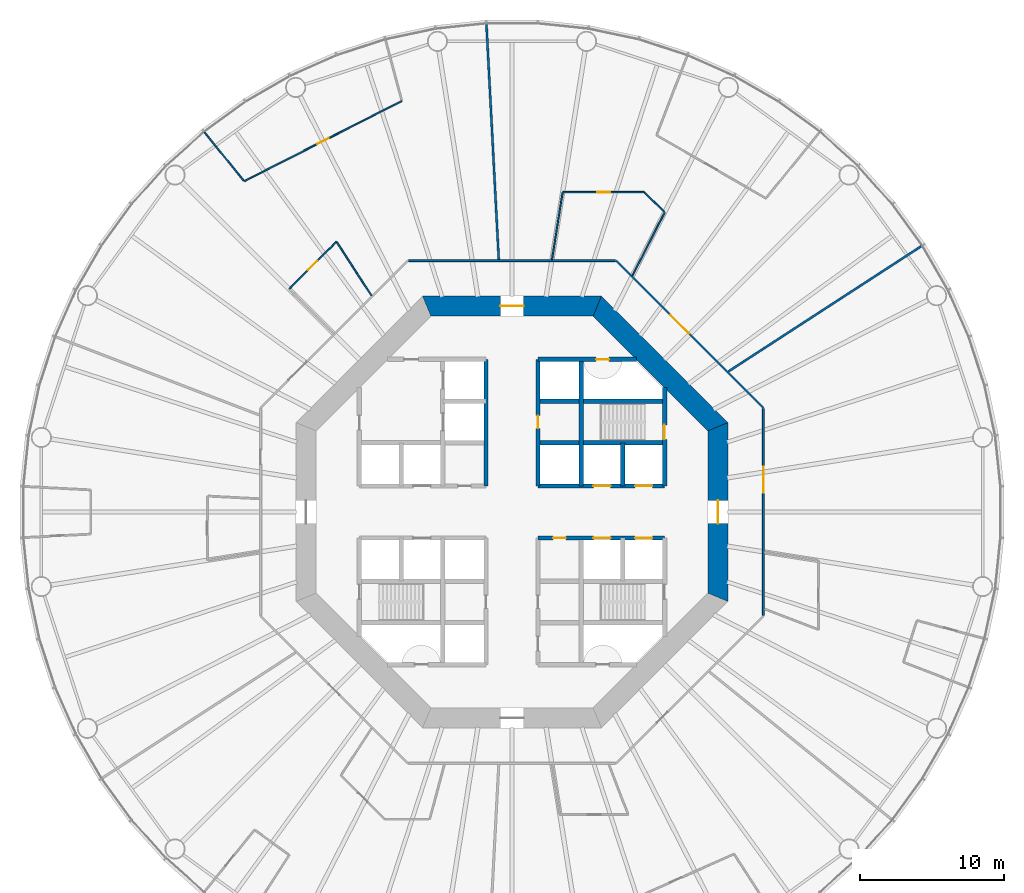
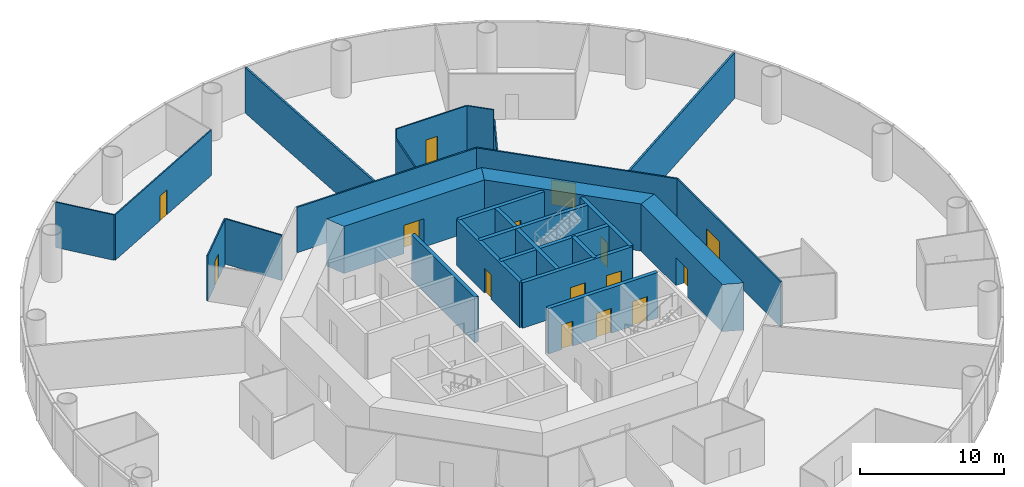
# One storey, part 5 of 13: 26 walls, 15 doors, 15 openings.
"""IFC4 building model written with IfcOpenShell, lengths in metres."""

from ifc_helpers import new_model, si_unit, direction, frame, frame_2d, origin, place, context, subcontext, project, spatial, polyline, rectangle, outline, extrude, material, layer, layer_set, type_object, element, fill, save


model = new_model("IFC4")

# Units and contexts
model_context = context("Model", 3, precision=1e-05, world=origin(), true_north=direction((0.0, 1.0)))
body_context = subcontext(model_context, "Body", "Model", "MODEL_VIEW")
ifc_project = project(units=[si_unit("LENGTHUNIT", "METRE"), si_unit("AREAUNIT", "SQUARE_METRE"), si_unit("VOLUMEUNIT", "CUBIC_METRE"), si_unit("PLANEANGLEUNIT", "RADIAN"), si_unit("MASSUNIT", "GRAM", prefix="KILO")], contexts=[model_context])

# Site, building, storey
site_placement = place(None, origin())
site = spatial("IfcSite", under=ifc_project, at=site_placement, CompositionType="ELEMENT")
building_placement = place(site_placement, origin())
building = spatial("IfcBuilding", under=site, at=building_placement, Name="Entoto Ring Tower", CompositionType="ELEMENT")
storey_placement = place(building_placement, frame((0.0, 0.0, 30.0)))
storey = spatial("IfcBuildingStorey", under=building, at=storey_placement, Name="L05", CompositionType="ELEMENT", Elevation=30.0)

# Wall, opening, door
ifc_material_1 = material(Name="Concrete C40/50", Category="concrete")
ifc_layer_1 = layer(ifc_material_1, 0.300048828125)
ifc_layer_set_1 = layer_set([ifc_layer_1], Name="Concrete C40/50")
wall_type_1 = type_object("IfcWallType", Name="Core enclosure wall 300 mm reinforced concrete", PredefinedType="SOLIDWALL", material=ifc_layer_set_1)
wall_1_placement = place(storey_placement, frame((100.60009765625, 81.800048828125, 0.0), z_axis=(0.0, 0.0, 1.0), x_axis=(0.0, 1.0, 0.0)))
wall_1 = element("IfcWall", 1, at=wall_1_placement, inside=storey, type_object=wall_type_1, Name="wall-L05-002", PredefinedType="SOLIDWALL", context=body_context, shape_type="SweptSolid", body=[
    extrude(rectangle(XDim=6.833251953125, YDim=0.300048828125, at=frame_2d((3.41650390625, 0.0))), origin(), (0.0, 0.0, 1.0), 3.85009765625),
])
opening_1_placement = place(wall_1_placement, frame((3.25, 0.0, 0.0)))
opening_1 = element("IfcOpeningElement", 2, at=opening_1_placement, cuts=wall_1, Name="Opening K-17", PredefinedType="OPENING", context=body_context, shape_type="SweptSolid", body=[
    extrude(rectangle(XDim=1.0, YDim=2.10009765625, at=frame_2d((0.5, 1.050048828125))), frame((0.0, 0.16015625, 0.0), z_axis=(0.0, -1.0, 0.0), x_axis=(1.0, 0.0, 0.0)), (0.0, 0.0, 1.0), 0.320068359375),
])
ifc_material_2 = material(Name="Steel door leaf, fire rated", Category="steel")
ifc_layer_2 = layer(ifc_material_2, 0.050048828125)
ifc_layer_set_2 = layer_set([ifc_layer_2], Name="Steel door leaf, fire rated")
door_type_1 = type_object("IfcDoorType", Name="Fire door FD60 1000 x 2100 single leaf", OperationType="NOTDEFINED", PredefinedType="DOOR", material=ifc_layer_set_2)
door_1_placement = place(opening_1_placement, origin())
door_1 = element("IfcDoor", 3, at=door_1_placement, inside=storey, type_object=door_type_1, Name="Door K-17", OperationType="SINGLE_SWING_RIGHT", OverallHeight=2.10009765625, OverallWidth=1.0, PredefinedType="DOOR", context=body_context, shape_type="SweptSolid", body=[
    extrude(rectangle(XDim=1.0, YDim=2.10009765625, at=frame_2d((0.5, 1.050048828125))), frame((0.0, 0.02490234375, 0.0), z_axis=(0.0, -1.0, 0.0), x_axis=(1.0, 0.0, 0.0)), (0.0, 0.0, 1.0), 0.050048828125),
])
fill(opening_1, door_1)

# Walls
wall_2_placement = place(storey_placement, frame((97.699951171875, 81.800048828125, 0.0), z_axis=(0.0, 0.0, 1.0), x_axis=(0.0, 1.0, 0.0)))
element("IfcWall", 4, at=wall_2_placement, inside=storey, type_object=wall_type_1, Name="wall-L05-004", PredefinedType="SOLIDWALL", context=body_context, shape_type="SweptSolid", body=[
    extrude(rectangle(XDim=3.0, YDim=0.300048828125, at=frame_2d((1.5, 0.0))), origin(), (0.0, 0.0, 1.0), 3.85009765625),
])
wall_3_placement = place(storey_placement, frame((94.800048828125, 81.800048828125, 0.0), z_axis=(0.0, 0.0, 1.0), x_axis=(0.0, 1.0, 0.0)))
element("IfcWall", 5, at=wall_3_placement, inside=storey, type_object=wall_type_1, Name="wall-L05-006", PredefinedType="SOLIDWALL", context=body_context, shape_type="SweptSolid", body=[
    extrude(rectangle(XDim=8.800048828125, YDim=0.300048828125, at=frame_2d((4.39990234375, 0.0))), origin(), (0.0, 0.0, 1.0), 3.85009765625),
])

# Wall, opening, door
wall_4_placement = place(storey_placement, frame((91.800048828125, 81.800048828125, 0.0), z_axis=(0.0, 0.0, 1.0), x_axis=(0.0, 1.0, 0.0)))
wall_4 = element("IfcWall", 6, at=wall_4_placement, inside=storey, type_object=wall_type_1, Name="wall-L05-008", PredefinedType="SOLIDWALL", context=body_context, shape_type="SweptSolid", body=[
    extrude(rectangle(XDim=8.800048828125, YDim=0.300048828125, at=frame_2d((4.39990234375, 0.0))), origin(), (0.0, 0.0, 1.0), 3.85009765625),
])
opening_2_placement = place(wall_4_placement, frame((4.0, 0.0, 0.0)))
opening_2 = element("IfcOpeningElement", 7, at=opening_2_placement, cuts=wall_4, Name="Opening K-11", PredefinedType="OPENING", context=body_context, shape_type="SweptSolid", body=[
    extrude(rectangle(XDim=0.89990234375, YDim=2.10009765625, at=frame_2d((0.449951171875, 1.050048828125))), frame((0.0, 0.16015625, 0.0), z_axis=(0.0, -1.0, 0.0), x_axis=(1.0, 0.0, 0.0)), (0.0, 0.0, 1.0), 0.320068359375),
])
ifc_material_3 = material(Name="Steel door leaf, fire rated", Category="steel")
ifc_layer_3 = layer(ifc_material_3, 0.050048828125)
ifc_layer_set_3 = layer_set([ifc_layer_3], Name="Steel door leaf, fire rated")
door_type_2 = type_object("IfcDoorType", Name="Core door 900 x 2100 single leaf", OperationType="NOTDEFINED", PredefinedType="DOOR", material=ifc_layer_set_3)
door_2_placement = place(opening_2_placement, origin())
door_2 = element("IfcDoor", 8, at=door_2_placement, inside=storey, type_object=door_type_2, Name="Door K-11", OperationType="SINGLE_SWING_RIGHT", OverallHeight=2.10009765625, OverallWidth=0.89990234375, PredefinedType="DOOR", context=body_context, shape_type="SweptSolid", body=[
    extrude(rectangle(XDim=0.89990234375, YDim=2.10009765625, at=frame_2d((0.449951171875, 1.050048828125))), frame((0.0, 0.02490234375, 0.0), z_axis=(0.0, -1.0, 0.0), x_axis=(1.0, 0.0, 0.0)), (0.0, 0.0, 1.0), 0.050048828125),
])
fill(opening_2, door_2)

# Wall
wall_5_placement = place(storey_placement, frame((88.199951171875, 81.800048828125, 0.0), z_axis=(0.0, 0.0, 1.0), x_axis=(0.0, 1.0, 0.0)))
element("IfcWall", 9, at=wall_5_placement, inside=storey, type_object=wall_type_1, Name="wall-L05-010", PredefinedType="SOLIDWALL", context=body_context, shape_type="SweptSolid", body=[
    extrude(rectangle(XDim=8.800048828125, YDim=0.300048828125, at=frame_2d((4.39990234375, 0.0))), origin(), (0.0, 0.0, 1.0), 3.85009765625),
])

# Wall, openings, doors
wall_6_placement = place(storey_placement, frame((91.800048828125, 78.199951171875, 0.0), z_axis=(0.0, 0.0, 1.0), x_axis=(1.0, 0.0, 0.0)))
wall_6 = element("IfcWall", 10, at=wall_6_placement, inside=storey, type_object=wall_type_1, Name="wall-L05-024", PredefinedType="SOLIDWALL", context=body_context, shape_type="SweptSolid", body=[
    extrude(rectangle(XDim=8.800048828125, YDim=0.300048828125, at=frame_2d((4.39990234375, 0.0))), origin(), (0.0, 0.0, 1.0), 3.85009765625),
])
opening_3_placement = place(wall_6_placement, frame((3.85009765625, 0.0, 0.0)))
opening_3 = element("IfcOpeningElement", 11, at=opening_3_placement, cuts=wall_6, Name="Opening LD", PredefinedType="OPENING", context=body_context, shape_type="SweptSolid", body=[
    extrude(rectangle(XDim=1.199951171875, YDim=2.10009765625, at=frame_2d((0.60009765625, 1.050048828125))), frame((0.0, 0.16015625, 0.0), z_axis=(0.0, -1.0, 0.0), x_axis=(1.0, 0.0, 0.0)), (0.0, 0.0, 1.0), 0.320068359375),
])
opening_4_placement = place(wall_6_placement, frame((6.75, 0.0, 0.0)))
opening_4 = element("IfcOpeningElement", 12, at=opening_4_placement, cuts=wall_6, Name="Opening LD", PredefinedType="OPENING", context=body_context, shape_type="SweptSolid", body=[
    extrude(rectangle(XDim=1.199951171875, YDim=2.10009765625, at=frame_2d((0.60009765625, 1.050048828125))), frame((0.0, 0.16015625, 0.0), z_axis=(0.0, -1.0, 0.0), x_axis=(1.0, 0.0, 0.0)), (0.0, 0.0, 1.0), 0.320068359375),
])
opening_5_placement = place(wall_6_placement, frame((1.050048828125, 0.0, 0.0)))
opening_5 = element("IfcOpeningElement", 13, at=opening_5_placement, cuts=wall_6, Name="Opening K-16", PredefinedType="OPENING", context=body_context, shape_type="SweptSolid", body=[
    extrude(rectangle(XDim=0.89990234375, YDim=2.10009765625, at=frame_2d((0.449951171875, 1.050048828125))), frame((0.0, 0.16015625, 0.0), z_axis=(0.0, -1.0, 0.0), x_axis=(1.0, 0.0, 0.0)), (0.0, 0.0, 1.0), 0.320068359375),
])
door_3_placement = place(opening_5_placement, frame((0.89990234375, 0.0, 0.0), z_axis=(0.0, 0.0, 1.0), x_axis=(-1.0, 0.0, 0.0)))
door_3 = element("IfcDoor", 14, at=door_3_placement, inside=storey, type_object=door_type_2, Name="Door K-16", OperationType="SINGLE_SWING_RIGHT", OverallHeight=2.10009765625, OverallWidth=0.89990234375, PredefinedType="DOOR", context=body_context, shape_type="SweptSolid", body=[
    extrude(rectangle(XDim=0.89990234375, YDim=2.10009765625, at=frame_2d((0.449951171875, 1.050048828125))), frame((0.0, 0.02490234375, 0.0), z_axis=(0.0, -1.0, 0.0), x_axis=(1.0, 0.0, 0.0)), (0.0, 0.0, 1.0), 0.050048828125),
])
fill(opening_5, door_3)
ifc_material_4 = material(Name="Steel and glass door leaf", Category="steel")
ifc_layer_4 = layer(ifc_material_4, 0.050048828125)
ifc_layer_set_4 = layer_set([ifc_layer_4], Name="Steel and glass door leaf")
door_type_3 = type_object("IfcDoorType", Name="Landing door 1200 x 2100 sliding", OperationType="DOUBLE_DOOR_SLIDING", PredefinedType="DOOR", material=ifc_layer_set_4)
door_4_placement = place(opening_3_placement, origin())
door_4 = element("IfcDoor", 15, at=door_4_placement, inside=storey, type_object=door_type_3, Name="Landing door LB4-LR", OperationType="SLIDING_TO_RIGHT", OverallHeight=2.10009765625, OverallWidth=1.199951171875, PredefinedType="DOOR", context=body_context, shape_type="SweptSolid", body=[
    extrude(rectangle(XDim=1.199951171875, YDim=2.10009765625, at=frame_2d((0.60009765625, 1.050048828125))), frame((0.0, 0.02490234375, 0.0), z_axis=(0.0, -1.0, 0.0), x_axis=(1.0, 0.0, 0.0)), (0.0, 0.0, 1.0), 0.050048828125),
])
fill(opening_3, door_4)
door_5_placement = place(opening_4_placement, origin())
door_5 = element("IfcDoor", 16, at=door_5_placement, inside=storey, type_object=door_type_3, Name="Landing door LB5-LR", OperationType="SLIDING_TO_RIGHT", OverallHeight=2.10009765625, OverallWidth=1.199951171875, PredefinedType="DOOR", context=body_context, shape_type="SweptSolid", body=[
    extrude(rectangle(XDim=1.199951171875, YDim=2.10009765625, at=frame_2d((0.60009765625, 1.050048828125))), frame((0.0, 0.02490234375, 0.0), z_axis=(0.0, -1.0, 0.0), x_axis=(1.0, 0.0, 0.0)), (0.0, 0.0, 1.0), 0.050048828125),
])
fill(opening_4, door_5)

wall_7_placement = place(storey_placement, frame((91.800048828125, 81.800048828125, 0.0), z_axis=(0.0, 0.0, 1.0), x_axis=(1.0, 0.0, 0.0)))
wall_7 = element("IfcWall", 17, at=wall_7_placement, inside=storey, type_object=wall_type_1, Name="wall-L05-026", PredefinedType="SOLIDWALL", context=body_context, shape_type="SweptSolid", body=[
    extrude(rectangle(XDim=8.800048828125, YDim=0.300048828125, at=frame_2d((4.39990234375, 0.0))), origin(), (0.0, 0.0, 1.0), 3.85009765625),
])
opening_6_placement = place(wall_7_placement, frame((3.85009765625, 0.0, 0.0)))
opening_6 = element("IfcOpeningElement", 18, at=opening_6_placement, cuts=wall_7, Name="Opening LD", PredefinedType="OPENING", context=body_context, shape_type="SweptSolid", body=[
    extrude(rectangle(XDim=1.199951171875, YDim=2.10009765625, at=frame_2d((0.60009765625, 1.050048828125))), frame((0.0, 0.16015625, 0.0), z_axis=(0.0, -1.0, 0.0), x_axis=(1.0, 0.0, 0.0)), (0.0, 0.0, 1.0), 0.320068359375),
])
opening_7_placement = place(wall_7_placement, frame((6.75, 0.0, 0.0)))
opening_7 = element("IfcOpeningElement", 19, at=opening_7_placement, cuts=wall_7, Name="Opening LD", PredefinedType="OPENING", context=body_context, shape_type="SweptSolid", body=[
    extrude(rectangle(XDim=1.199951171875, YDim=2.10009765625, at=frame_2d((0.60009765625, 1.050048828125))), frame((0.0, 0.16015625, 0.0), z_axis=(0.0, -1.0, 0.0), x_axis=(1.0, 0.0, 0.0)), (0.0, 0.0, 1.0), 0.320068359375),
])
door_6_placement = place(opening_6_placement, origin())
door_6 = element("IfcDoor", 20, at=door_6_placement, inside=storey, type_object=door_type_3, Name="Landing door LB1-LR", OperationType="SLIDING_TO_RIGHT", OverallHeight=2.10009765625, OverallWidth=1.199951171875, PredefinedType="DOOR", context=body_context, shape_type="SweptSolid", body=[
    extrude(rectangle(XDim=1.199951171875, YDim=2.10009765625, at=frame_2d((0.60009765625, 1.050048828125))), frame((0.0, 0.02490234375, 0.0), z_axis=(0.0, -1.0, 0.0), x_axis=(1.0, 0.0, 0.0)), (0.0, 0.0, 1.0), 0.050048828125),
])
fill(opening_6, door_6)
door_7_placement = place(opening_7_placement, origin())
door_7 = element("IfcDoor", 21, at=door_7_placement, inside=storey, type_object=door_type_3, Name="Landing door LB2-LR", OperationType="SLIDING_TO_RIGHT", OverallHeight=2.10009765625, OverallWidth=1.199951171875, PredefinedType="DOOR", context=body_context, shape_type="SweptSolid", body=[
    extrude(rectangle(XDim=1.199951171875, YDim=2.10009765625, at=frame_2d((0.60009765625, 1.050048828125))), frame((0.0, 0.02490234375, 0.0), z_axis=(0.0, -1.0, 0.0), x_axis=(1.0, 0.0, 0.0)), (0.0, 0.0, 1.0), 0.050048828125),
])
fill(opening_7, door_7)

# Walls
for number, where, z_axis, x_axis, name in (
    (22, (91.800048828125, 84.800048828125, 0.0), (0.0, 0.0, 1.0), (1.0, 0.0, 0.0), "wall-L05-028"),
    (23, (91.800048828125, 87.699951171875, 0.0), (0.0, 0.0, 1.0), (1.0, 0.0, 0.0), "wall-L05-030"),
):
    element("IfcWall", number, at=place(storey_placement, frame(where, z_axis=z_axis, x_axis=x_axis)), inside=storey, type_object=wall_type_1, Name=name, PredefinedType="SOLIDWALL", context=body_context, shape_type="SweptSolid", body=[
        extrude(rectangle(XDim=8.800048828125, YDim=0.300048828125, at=frame_2d((4.39990234375, 0.0))), origin(), (0.0, 0.0, 1.0), 3.85009765625),
    ])

# Wall, opening, door
wall_8_placement = place(storey_placement, frame((91.800048828125, 90.60009765625, 0.0), z_axis=(0.0, 0.0, 1.0), x_axis=(1.0, 0.0, 0.0)))
wall_8 = element("IfcWall", 24, at=wall_8_placement, inside=storey, type_object=wall_type_1, Name="wall-L05-032", PredefinedType="SOLIDWALL", context=body_context, shape_type="SweptSolid", body=[
    extrude(rectangle(XDim=6.833251953125, YDim=0.300048828125, at=frame_2d((3.41650390625, 0.0))), origin(), (0.0, 0.0, 1.0), 3.85009765625),
])
opening_8_placement = place(wall_8_placement, frame((4.050048828125, 0.0, 0.0)))
opening_8 = element("IfcOpeningElement", 25, at=opening_8_placement, cuts=wall_8, Name="Opening K-20", PredefinedType="OPENING", context=body_context, shape_type="SweptSolid", body=[
    extrude(rectangle(XDim=0.89990234375, YDim=2.10009765625, at=frame_2d((0.449951171875, 1.050048828125))), frame((0.0, 0.16015625, 0.0), z_axis=(0.0, -1.0, 0.0), x_axis=(1.0, 0.0, 0.0)), (0.0, 0.0, 1.0), 0.320068359375),
])
ifc_material_5 = material(Name="Steel door leaf, fire rated", Category="steel")
ifc_layer_5 = layer(ifc_material_5, 0.050048828125)
ifc_layer_set_5 = layer_set([ifc_layer_5], Name="Steel door leaf, fire rated")
door_type_4 = type_object("IfcDoorType", Name="Riser door FD60 900 x 2100 single leaf", OperationType="NOTDEFINED", PredefinedType="DOOR", material=ifc_layer_set_5)
door_8_placement = place(opening_8_placement, frame((0.89990234375, 0.0, 0.0), z_axis=(0.0, 0.0, 1.0), x_axis=(-1.0, 0.0, 0.0)))
door_8 = element("IfcDoor", 26, at=door_8_placement, inside=storey, type_object=door_type_4, Name="Door K-20", OperationType="SINGLE_SWING_LEFT", OverallHeight=2.10009765625, OverallWidth=0.89990234375, PredefinedType="DOOR", context=body_context, shape_type="SweptSolid", body=[
    extrude(rectangle(XDim=0.89990234375, YDim=2.10009765625, at=frame_2d((0.449951171875, 1.050048828125))), frame((0.0, 0.02490234375, 0.0), z_axis=(0.0, -1.0, 0.0), x_axis=(1.0, 0.0, 0.0)), (0.0, 0.0, 1.0), 0.050048828125),
])
fill(opening_8, door_8)

ifc_material_6 = material(Name="Concrete C60/75", Category="concrete")
ifc_layer_6 = layer(ifc_material_6, 1.39990234375)
ifc_layer_set_6 = layer_set([ifc_layer_6], Name="Concrete C60/75")
wall_type_2 = type_object("IfcWallType", Name="Core shear wall 1400 mm reinforced concrete C60/75", PredefinedType="SHEAR", material=ifc_layer_set_6)
wall_9_placement = place(storey_placement, frame((104.300048828125, 74.07666015625, 0.0), z_axis=(0.0, 0.0, 1.0), x_axis=(0.0, 1.0, 0.0)))
wall_9 = element("IfcWall", 27, at=wall_9_placement, inside=storey, type_object=wall_type_2, Name="wall-L05-core-0", PredefinedType="SHEAR", context=body_context, shape_type="SweptSolid", body=[
    extrude(outline(polyline([(-0.2900390625, -0.699951171875), (12.13671875, -0.699951171875), (11.556640625, 0.699951171875), (0.2900390625, 0.699951171875), (-0.2900390625, -0.699951171875)])), origin(), (0.0, 0.0, 1.0), 4.0),
])
opening_9_placement = place(wall_9_placement, frame((5.123291015625, 0.0, 0.0)))
opening_9 = element("IfcOpeningElement", 28, at=opening_9_placement, cuts=wall_9, Name="Opening K-01", PredefinedType="OPENING", context=body_context, shape_type="SweptSolid", body=[
    extrude(rectangle(XDim=1.60009765625, YDim=2.39990234375, at=frame_2d((0.800048828125, 1.199951171875))), frame((0.0, 0.7099609375, 0.0), z_axis=(0.0, -1.0, 0.0), x_axis=(1.0, 0.0, 0.0)), (0.0, 0.0, 1.0), 1.419921875),
])
ifc_material_7 = material(Name="Steel door leaf, fire rated", Category="steel")
ifc_layer_7 = layer(ifc_material_7, 0.050048828125)
ifc_layer_set_7 = layer_set([ifc_layer_7], Name="Steel door leaf, fire rated")
door_type_5 = type_object("IfcDoorType", Name="Entrance door FD60 1600 x 2400 double leaf", OperationType="DOUBLE_DOOR_SINGLE_SWING", PredefinedType="DOOR", material=ifc_layer_set_7)
door_9_placement = place(opening_9_placement, origin())
door_9 = element("IfcDoor", 29, at=door_9_placement, inside=storey, type_object=door_type_5, Name="Entrance door K-01", OperationType="DOUBLE_DOOR_SINGLE_SWING", OverallHeight=2.39990234375, OverallWidth=1.60009765625, PredefinedType="DOOR", context=body_context, shape_type="SweptSolid", body=[
    extrude(rectangle(XDim=1.60009765625, YDim=2.39990234375, at=frame_2d((0.800048828125, 1.199951171875))), frame((0.0, 0.02490234375, 0.0), z_axis=(0.0, -1.0, 0.0), x_axis=(1.0, 0.0, 0.0)), (0.0, 0.0, 1.0), 0.050048828125),
])
fill(opening_9, door_9)

# Wall
wall_10_placement = place(storey_placement, frame((104.300048828125, 85.92333984375, 0.0), z_axis=(0.0, 0.0, 1.0), x_axis=(-0.707106781187, 0.707106781187, 0.0)))
element("IfcWall", 30, at=wall_10_placement, inside=storey, type_object=wall_type_2, Name="wall-L05-core-1", PredefinedType="SHEAR", context=body_context, shape_type="SweptSolid", body=[
    extrude(outline(polyline([(-0.2900390625, -0.699951171875), (12.136474609375, -0.699951171875), (11.556396484375, 0.699951171875), (0.2900390625, 0.699951171875), (-0.2900390625, -0.699951171875)])), origin(), (0.0, 0.0, 1.0), 4.0),
])

# Wall, opening, door
wall_11_placement = place(storey_placement, frame((95.92333984375, 94.300048828125, 0.0), z_axis=(0.0, 0.0, 1.0), x_axis=(-1.0, 0.0, 0.0)))
wall_11 = element("IfcWall", 31, at=wall_11_placement, inside=storey, type_object=wall_type_2, Name="wall-L05-core-2", PredefinedType="SHEAR", context=body_context, shape_type="SweptSolid", body=[
    extrude(outline(polyline([(-0.2900390625, -0.699951171875), (12.13671875, -0.699951171875), (11.556640625, 0.699951171875), (0.2900390625, 0.699951171875), (-0.2900390625, -0.699951171875)])), origin(), (0.0, 0.0, 1.0), 4.0),
])
opening_10_placement = place(wall_11_placement, frame((5.123291015625, 0.0, 0.0)))
opening_10 = element("IfcOpeningElement", 32, at=opening_10_placement, cuts=wall_11, Name="Opening K-02", PredefinedType="OPENING", context=body_context, shape_type="SweptSolid", body=[
    extrude(rectangle(XDim=1.60009765625, YDim=2.39990234375, at=frame_2d((0.800048828125, 1.199951171875))), frame((0.0, 0.7099609375, 0.0), z_axis=(0.0, -1.0, 0.0), x_axis=(1.0, 0.0, 0.0)), (0.0, 0.0, 1.0), 1.419921875),
])
door_10_placement = place(opening_10_placement, origin())
door_10 = element("IfcDoor", 33, at=door_10_placement, inside=storey, type_object=door_type_5, Name="Entrance door K-02", OperationType="DOUBLE_DOOR_SINGLE_SWING", OverallHeight=2.39990234375, OverallWidth=1.60009765625, PredefinedType="DOOR", context=body_context, shape_type="SweptSolid", body=[
    extrude(rectangle(XDim=1.60009765625, YDim=2.39990234375, at=frame_2d((0.800048828125, 1.199951171875))), frame((0.0, 0.02490234375, 0.0), z_axis=(0.0, -1.0, 0.0), x_axis=(1.0, 0.0, 0.0)), (0.0, 0.0, 1.0), 0.050048828125),
])
fill(opening_10, door_10)

ifc_material_8 = material(Name="Fire-resisting plasterboard on steel studs", Category="steel")
ifc_layer_8 = layer(ifc_material_8, 0.125)
ifc_layer_set_8 = layer_set([ifc_layer_8], Name="Fire-resisting plasterboard on steel studs")
wall_type_3 = type_object("IfcWallType", Name="Corridor wall 125 mm one-hour plasterboard on steel studs", PredefinedType="PARTITIONING", material=ifc_layer_set_8)
wall_12_placement = place(storey_placement, frame((107.46240234375, 87.233154296875, 0.0), z_axis=(0.0, 0.0, 1.0), x_axis=(-0.707106781187, 0.707106781187, 0.0)))
wall_12 = element("IfcWall", 34, at=wall_12_placement, inside=storey, type_object=wall_type_3, Name="partition-L05-004", PredefinedType="PARTITIONING", context=body_context, shape_type="SweptSolid", body=[
    extrude(rectangle(XDim=14.46630859375, YDim=0.125, at=frame_2d((7.233154296875, 0.0))), origin(), (0.0, 0.0, 1.0), 3.85009765625),
])
opening_11_placement = place(wall_12_placement, frame((7.314208984375, 0.0, 0.0)))
opening_11 = element("IfcOpeningElement", 35, at=opening_11_placement, cuts=wall_12, Name="Opening A03-D10", PredefinedType="OPENING", context=body_context, shape_type="SweptSolid", body=[
    extrude(rectangle(XDim=1.800048828125, YDim=2.10009765625, at=frame_2d((0.89990234375, 1.050048828125))), frame((0.0, 0.072509765625, 0.0), z_axis=(0.0, -1.0, 0.0), x_axis=(1.0, 0.0, 0.0)), (0.0, 0.0, 1.0), 0.14501953125),
])
ifc_material_9 = material(Name="Fire-resisting timber door set", Category="wood")
door_type_6 = type_object("IfcDoorType", Name="Door 1800 x 2100 double leaf FD30S fire door", OperationType="DOUBLE_DOOR_SINGLE_SWING", PredefinedType="DOOR", material=ifc_material_9)
door_11_placement = place(opening_11_placement, frame((1.800048828125, 0.0, 0.0), z_axis=(0.0, 0.0, 1.0), x_axis=(-1.0, 0.0, 0.0)))
door_11 = element("IfcDoor", 36, at=door_11_placement, inside=storey, type_object=door_type_6, Name="Door A03-D10", OperationType="DOUBLE_DOOR_SINGLE_SWING", OverallHeight=2.10009765625, OverallWidth=1.800048828125, PredefinedType="DOOR", context=body_context, shape_type="SweptSolid", body=[
    extrude(rectangle(XDim=1.800048828125, YDim=2.10009765625, at=frame_2d((0.89990234375, 1.050048828125))), frame((0.0, 0.02490234375, 0.0), z_axis=(0.0, -1.0, 0.0), x_axis=(1.0, 0.0, 0.0)), (0.0, 0.0, 1.0), 0.050048828125),
])
fill(opening_11, door_11)

# Wall
wall_13_placement = place(storey_placement, frame((82.810791015625, 97.46240234375, 0.0), z_axis=(0.0, 0.0, 1.0), x_axis=(1.0, 0.0, 0.0)))
element("IfcWall", 37, at=wall_13_placement, inside=storey, type_object=wall_type_3, Name="partition-L05-007", PredefinedType="PARTITIONING", context=body_context, shape_type="SweptSolid", body=[
    extrude(rectangle(XDim=14.37841796875, YDim=0.125, at=frame_2d((7.189208984375, 0.0))), origin(), (0.0, 0.0, 1.0), 3.85009765625),
])

# Wall, opening, door
wall_14_placement = place(storey_placement, frame((107.46240234375, 72.810791015625, 0.0), z_axis=(0.0, 0.0, 1.0), x_axis=(0.0, 1.0, 0.0)))
wall_14 = element("IfcWall", 38, at=wall_14_placement, inside=storey, type_object=wall_type_3, Name="partition-L05-008", PredefinedType="PARTITIONING", context=body_context, shape_type="SweptSolid", body=[
    extrude(rectangle(XDim=14.37841796875, YDim=0.125, at=frame_2d((7.189208984375, 0.0))), origin(), (0.0, 0.0, 1.0), 3.85009765625),
])
opening_12_placement = place(wall_14_placement, frame((8.52294921875, 0.0, 0.0)))
opening_12 = element("IfcOpeningElement", 39, at=opening_12_placement, cuts=wall_14, Name="Opening A03-D07", PredefinedType="OPENING", context=body_context, shape_type="SweptSolid", body=[
    extrude(rectangle(XDim=1.800048828125, YDim=2.10009765625, at=frame_2d((0.89990234375, 1.050048828125))), frame((0.0, 0.072509765625, 0.0), z_axis=(0.0, -1.0, 0.0), x_axis=(1.0, 0.0, 0.0)), (0.0, 0.0, 1.0), 0.14501953125),
])
door_12_placement = place(opening_12_placement, origin())
door_12 = element("IfcDoor", 40, at=door_12_placement, inside=storey, type_object=door_type_6, Name="Door A03-D07", OperationType="DOUBLE_DOOR_SINGLE_SWING", OverallHeight=2.10009765625, OverallWidth=1.800048828125, PredefinedType="DOOR", context=body_context, shape_type="SweptSolid", body=[
    extrude(rectangle(XDim=1.800048828125, YDim=2.10009765625, at=frame_2d((0.89990234375, 1.050048828125))), frame((0.0, 0.02490234375, 0.0), z_axis=(0.0, -1.0, 0.0), x_axis=(1.0, 0.0, 0.0)), (0.0, 0.0, 1.0), 0.050048828125),
])
fill(opening_12, door_12)

ifc_material_10 = material(Name="Plasterboard on steel studs", Category="steel")
ifc_layer_9 = layer(ifc_material_10, 0.10009765625)
ifc_layer_set_9 = layer_set([ifc_layer_9], Name="Plasterboard on steel studs")
wall_type_4 = type_object("IfcWallType", Name="Partition 100 mm plasterboard on steel studs", PredefinedType="PARTITIONING", material=ifc_layer_set_9)
wall_15_placement = place(storey_placement, frame((71.397216796875, 102.972412109375, 0.0), z_axis=(0.0, 0.0, 1.0), x_axis=(0.891009028194, 0.453985585319, 0.0)))
wall_15 = element("IfcWall", 41, at=wall_15_placement, inside=storey, type_object=wall_type_4, Name="partition-L05-015", PredefinedType="PARTITIONING", context=body_context, shape_type="SweptSolid", body=[
    extrude(rectangle(XDim=12.291748046875, YDim=0.10009765625, at=frame_2d((6.14599609375, 0.0))), origin(), (0.0, 0.0, 1.0), 3.85009765625),
])
opening_13_placement = place(wall_15_placement, frame((5.69580078125, 0.0, 0.0)))
opening_13 = element("IfcOpeningElement", 42, at=opening_13_placement, cuts=wall_15, Name="Opening A03-D15", PredefinedType="OPENING", context=body_context, shape_type="SweptSolid", body=[
    extrude(rectangle(XDim=0.89990234375, YDim=2.10009765625, at=frame_2d((0.449951171875, 1.050048828125))), frame((0.0, 0.06005859375, 0.0), z_axis=(0.0, -1.0, 0.0), x_axis=(1.0, 0.0, 0.0)), (0.0, 0.0, 1.0), 0.1201171875),
])
ifc_material_11 = material(Name="Veneered timber door leaf in timber frame", Category="wood")
door_type_7 = type_object("IfcDoorType", Name="Door 900 x 2100 single leaf timber veneer", OperationType="NOTDEFINED", PredefinedType="DOOR", material=ifc_material_11)
door_13_placement = place(opening_13_placement, origin())
door_13 = element("IfcDoor", 43, at=door_13_placement, inside=storey, type_object=door_type_7, Name="Door A03-D15", OperationType="SINGLE_SWING_RIGHT", OverallHeight=2.10009765625, OverallWidth=0.89990234375, PredefinedType="DOOR", context=body_context, shape_type="SweptSolid", body=[
    extrude(rectangle(XDim=0.89990234375, YDim=2.10009765625, at=frame_2d((0.449951171875, 1.050048828125))), frame((0.0, 0.02490234375, 0.0), z_axis=(0.0, -1.0, 0.0), x_axis=(1.0, 0.0, 0.0)), (0.0, 0.0, 1.0), 0.050048828125),
])
fill(opening_13, door_13)

wall_16_placement = place(storey_placement, frame((93.51806640625, 102.21240234375, 0.0), z_axis=(0.0, 0.0, 1.0), x_axis=(1.0, 0.0, 0.0)))
wall_16 = element("IfcWall", 44, at=wall_16_placement, inside=storey, type_object=wall_type_4, Name="partition-L05-020", PredefinedType="PARTITIONING", context=body_context, shape_type="SweptSolid", body=[
    extrude(rectangle(XDim=5.6826171875, YDim=0.10009765625, at=frame_2d((2.84130859375, 0.0))), origin(), (0.0, 0.0, 1.0), 3.85009765625),
])
opening_14_placement = place(wall_16_placement, frame((2.391357421875, 0.0, 0.0)))
opening_14 = element("IfcOpeningElement", 45, at=opening_14_placement, cuts=wall_16, Name="Opening A03-D11", PredefinedType="OPENING", context=body_context, shape_type="SweptSolid", body=[
    extrude(rectangle(XDim=0.89990234375, YDim=2.10009765625, at=frame_2d((0.449951171875, 1.050048828125))), frame((0.0, 0.06005859375, 0.0), z_axis=(0.0, -1.0, 0.0), x_axis=(1.0, 0.0, 0.0)), (0.0, 0.0, 1.0), 0.1201171875),
])
door_14_placement = place(opening_14_placement, frame((0.89990234375, 0.0, 0.0), z_axis=(0.0, 0.0, 1.0), x_axis=(-1.0, 0.0, 0.0)))
door_14 = element("IfcDoor", 46, at=door_14_placement, inside=storey, type_object=door_type_7, Name="Door A03-D11", OperationType="SINGLE_SWING_RIGHT", OverallHeight=2.10009765625, OverallWidth=0.89990234375, PredefinedType="DOOR", context=body_context, shape_type="SweptSolid", body=[
    extrude(rectangle(XDim=0.89990234375, YDim=2.10009765625, at=frame_2d((0.449951171875, 1.050048828125))), frame((0.0, 0.02490234375, 0.0), z_axis=(0.0, -1.0, 0.0), x_axis=(1.0, 0.0, 0.0)), (0.0, 0.0, 1.0), 0.050048828125),
])
fill(opening_14, door_14)

wall_17_placement = place(storey_placement, frame((74.5126953125, 95.4873046875, 0.0), z_axis=(0.0, 0.0, 1.0), x_axis=(0.707080559512, 0.707133001889, 0.0)))
wall_17 = element("IfcWall", 47, at=wall_17_placement, inside=storey, type_object=wall_type_4, Name="partition-L05-031", PredefinedType="PARTITIONING", context=body_context, shape_type="SweptSolid", body=[
    extrude(rectangle(XDim=4.655517578125, YDim=0.10009765625, at=frame_2d((2.32763671875, 0.0))), origin(), (0.0, 0.0, 1.0), 3.85009765625),
])
opening_15_placement = place(wall_17_placement, frame((1.877685546875, 0.0, 0.0)))
opening_15 = element("IfcOpeningElement", 48, at=opening_15_placement, cuts=wall_17, Name="Opening A03-D14", PredefinedType="OPENING", context=body_context, shape_type="SweptSolid", body=[
    extrude(rectangle(XDim=0.89990234375, YDim=2.10009765625, at=frame_2d((0.449951171875, 1.050048828125))), frame((0.0, 0.06005859375, 0.0), z_axis=(0.0, -1.0, 0.0), x_axis=(1.0, 0.0, 0.0)), (0.0, 0.0, 1.0), 0.1201171875),
])
door_15_placement = place(opening_15_placement, frame((0.89990234375, 0.0, 0.0), z_axis=(0.0, 0.0, 1.0), x_axis=(-1.0, 0.0, 0.0)))
door_15 = element("IfcDoor", 49, at=door_15_placement, inside=storey, type_object=door_type_7, Name="Door A03-D14", OperationType="SINGLE_SWING_LEFT", OverallHeight=2.10009765625, OverallWidth=0.89990234375, PredefinedType="DOOR", context=body_context, shape_type="SweptSolid", body=[
    extrude(rectangle(XDim=0.89990234375, YDim=2.10009765625, at=frame_2d((0.449951171875, 1.050048828125))), frame((0.0, 0.02490234375, 0.0), z_axis=(0.0, -1.0, 0.0), x_axis=(1.0, 0.0, 0.0)), (0.0, 0.0, 1.0), 0.050048828125),
])
fill(opening_15, door_15)

# Walls
wall_18_placement = place(storey_placement, frame((80.236083984375, 95.034912109375, 0.0), z_axis=(0.0, 0.0, 1.0), x_axis=(-0.544602403746, 0.838694355433, 0.0)))
element("IfcWall", 50, at=wall_18_placement, inside=storey, type_object=wall_type_4, Name="partition-L05-034", PredefinedType="PARTITIONING", context=body_context, shape_type="SweptSolid", body=[
    extrude(rectangle(XDim=4.403076171875, YDim=0.10009765625, at=frame_2d((2.20166015625, 0.0))), origin(), (0.0, 0.0, 1.0), 3.85009765625),
])
wall_19_placement = place(storey_placement, frame((71.36669921875, 103.010498046875, 0.0), z_axis=(0.0, 0.0, 1.0), x_axis=(-0.62936523768, 0.777109643229, 0.0)))
element("IfcWall", 51, at=wall_19_placement, inside=storey, type_object=wall_type_4, Name="partition-L05-038", PredefinedType="PARTITIONING", context=body_context, shape_type="SweptSolid", body=[
    extrude(rectangle(XDim=4.3310546875, YDim=0.10009765625, at=frame_2d((2.16552734375, 0.0))), origin(), (0.0, 0.0, 1.0), 3.85009765625),
])
wall_20_placement = place(storey_placement, frame((100.569580078125, 100.843505859375, 0.0), z_axis=(0.0, 0.0, 1.0), x_axis=(-0.707042560054, 0.707170996487, 0.0)))
element("IfcWall", 52, at=wall_20_placement, inside=storey, type_object=wall_type_4, Name="partition-L05-052", PredefinedType="PARTITIONING", context=body_context, shape_type="SweptSolid", body=[
    extrude(rectangle(XDim=1.90087890625, YDim=0.10009765625, at=frame_2d((0.950439453125, 0.0))), origin(), (0.0, 0.0, 1.0), 3.85009765625),
])
ifc_material_12 = material(Name="Plasterboard on steel studs", Category="steel")
ifc_layer_10 = layer(ifc_material_12, 0.10009765625)
ifc_layer_set_10 = layer_set([ifc_layer_10], Name="Plasterboard on steel studs")
wall_type_5 = type_object("IfcWallType", Name="Partition 100 mm plasterboard on steel studs, 3050 mm high", PredefinedType="PARTITIONING", material=ifc_layer_set_10)
wall_21_placement = place(storey_placement, frame((98.372802734375, 96.432861328125, 0.0), z_axis=(0.0, 0.0, 1.0), x_axis=(0.454018835255, 0.890992085955, 0.0)))
element("IfcWall", 53, at=wall_21_placement, inside=storey, type_object=wall_type_5, Name="partition-L05-025", PredefinedType="PARTITIONING", context=body_context, shape_type="SweptSolid", body=[
    extrude(rectangle(XDim=4.912841796875, YDim=0.10009765625, at=frame_2d((2.45654296875, 0.0))), origin(), (0.0, 0.0, 1.0), 3.050048828125),
])
wall_22_placement = place(storey_placement, frame((92.77685546875, 97.53271484375, 0.0), z_axis=(0.0, 0.0, 1.0), x_axis=(0.156465223402, 0.987683468458, 0.0)))
element("IfcWall", 54, at=wall_22_placement, inside=storey, type_object=wall_type_5, Name="partition-L05-028", PredefinedType="PARTITIONING", context=body_context, shape_type="SweptSolid", body=[
    extrude(rectangle(XDim=4.68896484375, YDim=0.10009765625, at=frame_2d((2.344482421875, 0.0))), origin(), (0.0, 0.0, 1.0), 3.050048828125),
])
ifc_material_13 = material(Name="Fire-resisting acoustic plasterboard on steel studs", Category="steel")
ifc_layer_11 = layer(ifc_material_13, 0.14990234375)
ifc_layer_set_11 = layer_set([ifc_layer_11], Name="Fire-resisting acoustic plasterboard on steel studs")
wall_type_6 = type_object("IfcWallType", Name="Party wall 150 mm one-hour acoustic plasterboard on steel studs", PredefinedType="PARTITIONING", material=ifc_layer_set_11)
wall_23_placement = place(storey_placement, frame((89.081298828125, 97.52880859375, 0.0), z_axis=(0.0, 0.0, 1.0), x_axis=(-0.052337539372, 0.998629451785, 0.0)))
element("IfcWall", 55, at=wall_23_placement, inside=storey, type_object=wall_type_6, Name="partition-L05-010", PredefinedType="PARTITIONING", context=body_context, shape_type="SweptSolid", body=[
    extrude(rectangle(XDim=16.38720703125, YDim=0.14990234375, at=frame_2d((8.193603515625, 0.0))), origin(), (0.0, 0.0, 1.0), 3.85009765625),
])
wall_24_placement = place(storey_placement, frame((105.039306640625, 89.7666015625, 0.0), z_axis=(0.0, 0.0, 1.0), x_axis=(0.838670035364, 0.544639855117, 0.0)))
element("IfcWall", 56, at=wall_24_placement, inside=storey, type_object=wall_type_6, Name="partition-L05-013", PredefinedType="PARTITIONING", context=body_context, shape_type="SweptSolid", body=[
    extrude(rectangle(XDim=16.0078125, YDim=0.14990234375, at=frame_2d((8.00390625, 0.0))), origin(), (0.0, 0.0, 1.0), 3.85009765625),
])

save(model, "model.ifc")
